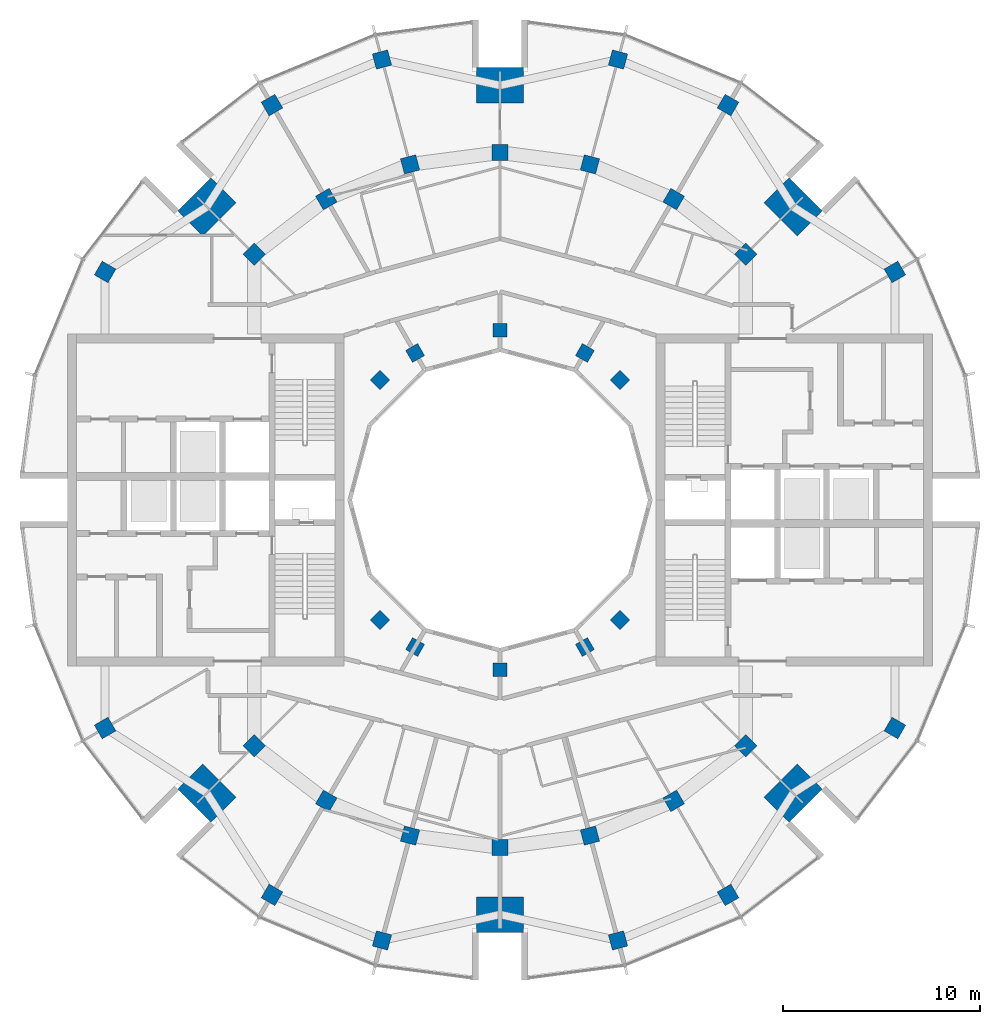
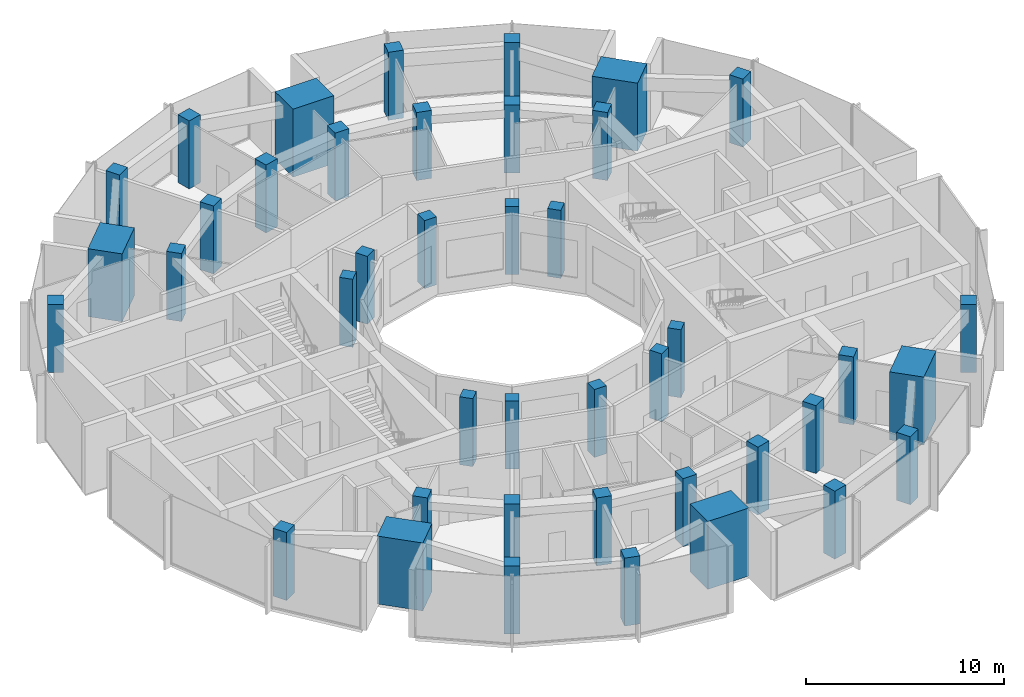
# One storey, part 1 of 15: 42 columns.
"""IFC4 building model written with IfcOpenShell, lengths in metres."""

import ifcopenshell
import ifcopenshell.guid

model = None  # the IFC model being written
_history = None  # IfcOwnerHistory: only IFC2X3 demands one
_inside = {}  # id of a spatial element -> (the spatial element, [elements in it])
_under = {}  # id of a project, library or spatial element -> (it, [spatial elements below it])
_declared = {}  # id of a project -> (the project, [libraries it declares])
_typed = {}  # id of a type object -> (the type object, [elements of that type])
_made_of = {}  # id of a material, layer set ... -> (it, [elements and type objects made of it])


def new_model(schema):
    """Start an empty IFC model of exactly this schema.

    Asked for "IFC4X3", IfcOpenShell would pick the latest addendum, in which some entities
    have other attributes; the version numbers below select the first issue.
    IFC2X3 requires an IfcOwnerHistory on every rooted entity: one is made here for all.
    """
    global model, _history
    if schema == "IFC4X3":
        model = ifcopenshell.file(schema_version=(4, 3, 0, 0))
    else:
        model = ifcopenshell.file(schema=schema)
    _inside.clear()
    _under.clear()
    _declared.clear()
    _typed.clear()
    _made_of.clear()
    _history = None
    if model.schema == "IFC2X3":
        org = make("IfcOrganization", Name="unknown")
        user = make(
            "IfcPersonAndOrganization",
            ThePerson=make("IfcPerson", FamilyName="unknown"),
            TheOrganization=org,
        )
        app = make(
            "IfcApplication",
            ApplicationDeveloper=org,
            Version="unknown",
            ApplicationFullName="unknown",
            ApplicationIdentifier="unknown",
        )
        _history = make(
            "IfcOwnerHistory",
            OwningUser=user,
            OwningApplication=app,
            ChangeAction="ADDED",
            CreationDate=0,
        )
    return model


def make(cls, **values):
    """One entity of the class cls with the attributes given. An attribute that is None is left unset."""
    return model.create_entity(
        cls, **{name: value for name, value in values.items() if value is not None}
    )


def rooted(cls, **values):
    """An entity with a GlobalId (a new one), such as an element, a storey or a relation."""
    return make(cls, GlobalId=ifcopenshell.guid.new(), OwnerHistory=_history, **values)


def si_unit(unit_type, name, prefix=None):
    """IfcSIUnit, for example si_unit("LENGTHUNIT", "METRE", prefix="MILLI")."""
    return make("IfcSIUnit", UnitType=unit_type, Prefix=prefix, Name=name)


def assignment(units):
    """IfcUnitAssignment: the units of a project."""
    return None if units is None else make("IfcUnitAssignment", Units=units)


def point(xyz):
    """IfcCartesianPoint."""
    return None if xyz is None else make("IfcCartesianPoint", Coordinates=xyz)


def direction(xyz):
    """IfcDirection."""
    return None if xyz is None else make("IfcDirection", DirectionRatios=xyz)


def frame(location, z_axis=None, x_axis=None):
    """IfcAxis2Placement3D, a coordinate frame: its origin and axes. An axis left out is left unset."""
    return make(
        "IfcAxis2Placement3D",
        Location=point(location),
        Axis=direction(z_axis),
        RefDirection=direction(x_axis),
    )


def frame_2d(location, x_axis=None):
    """IfcAxis2Placement2D, a coordinate frame in the plane: its origin and x axis."""
    return make(
        "IfcAxis2Placement2D", Location=point(location), RefDirection=direction(x_axis)
    )


def origin():
    """The frame at (0, 0, 0) with its axes left unset."""
    return frame((0.0, 0.0, 0.0))


def origin_2d():
    """The frame at (0, 0) in the plane with its x axis left unset."""
    return frame_2d((0.0, 0.0))


def place(relative_to, where):
    """IfcLocalPlacement: puts the frame where relative to a parent placement (None: the world)."""
    return make(
        "IfcLocalPlacement", PlacementRelTo=relative_to, RelativePlacement=where
    )


def context(
    kind, dimensions, precision=None, world=None, true_north=None, identifier=None
):
    """IfcGeometricRepresentationContext, for example the 3D "Model" context."""
    return make(
        "IfcGeometricRepresentationContext",
        ContextIdentifier=identifier,
        ContextType=kind,
        CoordinateSpaceDimension=dimensions,
        Precision=precision,
        WorldCoordinateSystem=world,
        TrueNorth=true_north,
    )


def subcontext(parent, identifier, kind, view, scale=None):
    """IfcGeometricRepresentationSubContext, for example "Body" below "Model"."""
    return make(
        "IfcGeometricRepresentationSubContext",
        ContextIdentifier=identifier,
        ContextType=kind,
        ParentContext=parent,
        TargetScale=scale,
        TargetView=view,
    )


def project(units=None, contexts=None):
    """IfcProject with its units and contexts."""
    return rooted(
        "IfcProject",
        Name="project",
        RepresentationContexts=contexts,
        UnitsInContext=assignment(units),
    )


def spatial(cls, under=None, at=None, **own):
    """A site, building, storey or space (cls), placed at a placement, below another one or the project."""
    s = rooted(cls, ObjectPlacement=at, **own)
    if under is not None:
        _under.setdefault(under.id(), (under, []))[1].append(s)
    return s


def profile(cls, at=None, kind="AREA", **sizes):
    """A parametric profile (cls). Its sizes go by their IFC names, for example OverallWidth=200.0."""
    return make(cls, ProfileType=kind, Position=at, **sizes)


def rectangle(**sizes):
    """IfcRectangleProfileDef."""
    return profile("IfcRectangleProfileDef", **sizes)


def extrude(swept, where, along, depth):
    """IfcExtrudedAreaSolid: the profile swept, set in the frame where, extruded along a direction by depth."""
    return make(
        "IfcExtrudedAreaSolid",
        SweptArea=swept,
        Position=where,
        ExtrudedDirection=direction(along),
        Depth=depth,
    )


def shape(context_of_items, identifier, shape_type, items):
    """IfcShapeRepresentation: the items that make up one representation, for example the "Body"."""
    return make(
        "IfcShapeRepresentation",
        ContextOfItems=context_of_items,
        RepresentationIdentifier=identifier,
        RepresentationType=shape_type,
        Items=items,
    )


def material(Name=None, Category=None):
    """IfcMaterial."""
    return make("IfcMaterial", Name=Name, Category=Category)


def material_profile(
    of_material, cross_section, Name=None, Category=None, Priority=None
):
    """IfcMaterialProfile: a cross section and its material."""
    return make(
        "IfcMaterialProfile",
        Name=Name,
        Material=of_material,
        Profile=cross_section,
        Priority=Priority,
        Category=Category,
    )


def profile_set(profiles, Name=None, composite=None):
    """IfcMaterialProfileSet."""
    return make(
        "IfcMaterialProfileSet",
        Name=Name,
        MaterialProfiles=profiles,
        CompositeProfile=composite,
    )


def made_of(thing, what):
    """Note that an element or type object is made of a material, layer set ...; save() writes the relation."""
    if what is not None:
        _made_of.setdefault(what.id(), (what, []))[1].append(thing)
    return thing


def type_object(cls, material=None, **own):
    """A type object (cls), such as IfcWallType, which elements share."""
    return made_of(rooted(cls, **own), material)


def element(
    cls,
    number,
    at=None,
    inside=None,
    cuts=None,
    type_object=None,
    material=None,
    context=None,
    identifier="Body",
    shape_type=None,
    held_by="IfcProductDefinitionShape",
    body=None,
    shapes=None,
    **own,
):
    """One element of the class cls, such as IfcWall. Its Tag is "e" and its number.

    at: its placement. inside: the storey or other place that contains it. cuts: it is an
    opening in that element (IfcRelVoidsElement). A single representation is given by context,
    identifier, shape_type and body (its items); several are given by shapes. held_by: the class
    of the entity that holds the representations. save() writes the other relations.
    """
    e = rooted(cls, Tag="e%d" % number, ObjectPlacement=at, **own)
    if body is not None:
        shapes = [shape(context, identifier, shape_type, body)]
    if shapes is not None:
        e.Representation = make(held_by, Representations=shapes)
    if inside is not None:
        _inside.setdefault(inside.id(), (inside, []))[1].append(e)
    if cuts is not None:
        rooted(
            "IfcRelVoidsElement", RelatingBuildingElement=cuts, RelatedOpeningElement=e
        )
    if type_object is not None:
        _typed.setdefault(type_object.id(), (type_object, []))[1].append(e)
    return made_of(e, material)


def aggregate(whole, parts):
    """IfcRelAggregates: a whole, such as a stair, and the parts it consists of."""
    return rooted("IfcRelAggregates", RelatingObject=whole, RelatedObjects=parts)


def save(model, path):
    """Write the relations noted so far, then the file.

    IfcRelAggregates (storeys below a building ...), IfcRelContainedInSpatialStructure (elements
    in a storey), IfcRelDefinesByType, IfcRelAssociatesMaterial and IfcRelDeclares: one each for
    every whole, place, type object, material and project.
    """
    for whole, parts in _under.values():
        aggregate(whole, parts)
    for where, things in _inside.values():
        rooted(
            "IfcRelContainedInSpatialStructure",
            RelatedElements=things,
            RelatingStructure=where,
        )
    for kind, things in _typed.values():
        rooted("IfcRelDefinesByType", RelatedObjects=things, RelatingType=kind)
    for what, things in _made_of.values():
        rooted("IfcRelAssociatesMaterial", RelatedObjects=things, RelatingMaterial=what)
    for by, libraries in _declared.values():
        rooted("IfcRelDeclares", RelatingContext=by, RelatedDefinitions=libraries)
    model.write(path)


model = new_model("IFC4")

# Units and contexts
model_context = context("Model", 3, precision=1e-05, world=origin(), true_north=direction((0.0, 1.0)))
body_context = subcontext(model_context, "Body", "Model", "MODEL_VIEW")
ifc_project = project(units=[si_unit("LENGTHUNIT", "METRE"), si_unit("AREAUNIT", "SQUARE_METRE"), si_unit("VOLUMEUNIT", "CUBIC_METRE"), si_unit("PLANEANGLEUNIT", "RADIAN"), si_unit("MASSUNIT", "GRAM", prefix="KILO")], contexts=[model_context])

# Site, building, storey
site_placement = place(None, origin())
site = spatial("IfcSite", under=ifc_project, at=site_placement, CompositionType="ELEMENT")
building_placement = place(site_placement, origin())
building = spatial("IfcBuilding", under=site, at=building_placement, Name="Torre Brocal", CompositionType="ELEMENT")
storey_placement = place(building_placement, frame((0.0, 0.0, 279.89990234375)))
storey = spatial("IfcBuildingStorey", under=building, at=storey_placement, Name="L64", CompositionType="ELEMENT", Elevation=279.89990234375)

# Columns
ifc_material_1 = material(Name="Concrete C50", Category="concrete")
ifc_material_profile_1 = material_profile(ifc_material_1, rectangle(XDim=1.800048828125, YDim=2.39990234375, at=origin_2d()), Name="RC 1800X2400")
ifc_profile_set_1 = profile_set([ifc_material_profile_1], Name="Concrete C50")
column_type_1 = type_object("IfcColumnType", Name="RC COLUMN 1800X2400 C50", PredefinedType="COLUMN", material=ifc_profile_set_1)
for number, where, z_axis, x_axis, name in (
    (1, (94.84912109375, 89.84912109375, 0.0), (0.0, 0.0, 1.0), (0.707106781187, 0.707106781187, 0.0), "Column MCA-1"),
    (2, (80.0, 96.0, 0.0), (0.0, 0.0, 1.0), (0.0, 1.0, 0.0), "Column MCA-2"),
    (3, (65.15087890625, 89.84912109375, 0.0), (0.0, 0.0, 1.0), (-0.707106781187, 0.707106781187, 0.0), "Column MCA-3"),
    (4, (65.15087890625, 60.15087890625, 0.0), (0.0, 0.0, 1.0), (-0.707106781187, -0.707106781187, 0.0), "Column MCA-5"),
    (5, (80.0, 54.0, 0.0), (0.0, 0.0, 1.0), (0.0, -1.0, 0.0), "Column MCA-6"),
    (6, (94.84912109375, 60.15087890625, 0.0), (0.0, 0.0, 1.0), (0.707106781187, -0.707106781187, 0.0), "Column MCA-7"),
):
    element("IfcColumn", number, at=place(storey_placement, frame(where, z_axis=z_axis, x_axis=x_axis)), inside=storey, type_object=column_type_1, Name=name, PredefinedType="COLUMN", context=body_context, shape_type="SweptSolid", body=[
        extrude(rectangle(XDim=1.800048828125, YDim=2.39990234375, at=origin_2d()), origin(), (0.0, 0.0, 1.0), 4.2001953125),
    ])
ifc_material_2 = material(Name="Concrete C50", Category="concrete")
ifc_material_profile_2 = material_profile(ifc_material_2, rectangle(XDim=0.699951171875, YDim=0.699951171875, at=origin_2d()), Name="RC 700X700")
ifc_profile_set_2 = profile_set([ifc_material_profile_2], Name="Concrete C50")
column_type_2 = type_object("IfcColumnType", Name="RC COLUMN 700X700 C50", PredefinedType="COLUMN", material=ifc_profile_set_2)
for number, where, z_axis, x_axis, name in (
    (7, (86.0810546875, 81.0810546875, 0.0), (0.0, 0.0, 1.0), (0.707106781187, 0.707106781187, 0.0), "Column C-I03"),
    (8, (84.300048828125, 82.44775390625, 0.0), (0.0, 0.0, 1.0), (0.5, 0.866025403784, 0.0), "Column C-I04"),
    (9, (80.0, 83.60009765625, 0.0), (0.0, 0.0, 1.0), (0.0, 1.0, 0.0), "Column C-I06"),
    (10, (75.699951171875, 82.44775390625, 0.0), (0.0, 0.0, 1.0), (-0.5, 0.866025403784, 0.0), "Column C-I08"),
    (11, (73.9189453125, 81.0810546875, 0.0), (0.0, 0.0, 1.0), (-0.707106781187, 0.707106781187, 0.0), "Column C-I09"),
    (12, (73.9189453125, 68.9189453125, 0.0), (0.0, 0.0, 1.0), (-0.707106781187, -0.707106781187, 0.0), "Column C-I15"),
    (13, (75.699951171875, 67.55224609375, 0.0), (0.0, 0.0, 1.0), (-0.5, -0.866025403784, 0.0), "Column C-I16"),
    (14, (80.0, 66.39990234375, 0.0), (0.0, 0.0, 1.0), (0.0, -1.0, 0.0), "Column C-I18"),
    (15, (84.300048828125, 67.55224609375, 0.0), (0.0, 0.0, 1.0), (0.5, -0.866025403784, 0.0), "Column C-I20"),
    (16, (86.0810546875, 68.9189453125, 0.0), (0.0, 0.0, 1.0), (0.707106781187, -0.707106781187, 0.0), "Column C-I21"),
):
    element("IfcColumn", number, at=place(storey_placement, frame(where, z_axis=z_axis, x_axis=x_axis)), inside=storey, type_object=column_type_2, Name=name, PredefinedType="COLUMN", context=body_context, shape_type="SweptSolid", body=[
        extrude(rectangle(XDim=0.699951171875, YDim=0.699951171875, at=origin_2d()), origin(), (0.0, 0.0, 1.0), 4.2001953125),
    ])
ifc_material_3 = material(Name="Concrete C50", Category="concrete")
ifc_material_profile_3 = material_profile(ifc_material_3, rectangle(XDim=0.800048828125, YDim=0.800048828125, at=origin_2d()), Name="RC 800X800")
ifc_profile_set_3 = profile_set([ifc_material_profile_3], Name="Concrete C50")
column_type_3 = type_object("IfcColumnType", Name="RC COLUMN 800X800 C50", PredefinedType="COLUMN", material=ifc_profile_set_3)
for number, where, z_axis, x_axis, name in (
    (17, (100.005126953125, 86.550048828125, 0.0), (0.0, 0.0, 1.0), (0.866025403784, 0.5, 0.0), "Column C-OA02"),
    (18, (91.550048828125, 95.005126953125, 0.0), (0.0, 0.0, 1.0), (0.5, 0.866025403784, 0.0), "Column C-OA04"),
    (19, (85.978759765625, 97.31298828125, 0.0), (0.0, 0.0, 1.0), (0.258819045103, 0.965925826289, 0.0), "Column C-OA05"),
    (20, (74.021240234375, 97.31298828125, 0.0), (0.0, 0.0, 1.0), (-0.258819045103, 0.965925826289, 0.0), "Column C-OA07"),
    (21, (68.449951171875, 95.005126953125, 0.0), (0.0, 0.0, 1.0), (-0.5, 0.866025403784, 0.0), "Column C-OA08"),
    (22, (59.994873046875, 86.550048828125, 0.0), (0.0, 0.0, 1.0), (-0.866025403784, 0.5, 0.0), "Column C-OA10"),
    (23, (59.994873046875, 63.449951171875, 0.0), (0.0, 0.0, 1.0), (-0.866025403784, -0.5, 0.0), "Column C-OA14"),
    (24, (68.449951171875, 54.994873046875, 0.0), (0.0, 0.0, 1.0), (-0.5, -0.866025403784, 0.0), "Column C-OA16"),
    (25, (74.021240234375, 52.68701171875, 0.0), (0.0, 0.0, 1.0), (-0.258819045103, -0.965925826289, 0.0), "Column C-OA17"),
    (26, (85.978759765625, 52.68701171875, 0.0), (0.0, 0.0, 1.0), (0.258819045103, -0.965925826289, 0.0), "Column C-OA19"),
    (27, (91.550048828125, 54.994873046875, 0.0), (0.0, 0.0, 1.0), (0.5, -0.866025403784, 0.0), "Column C-OA20"),
    (28, (100.005126953125, 63.449951171875, 0.0), (0.0, 0.0, 1.0), (0.866025403784, -0.5, 0.0), "Column C-OA22"),
    (29, (92.445068359375, 87.445068359375, 0.0), (0.0, 0.0, 1.0), (0.707106781187, 0.707106781187, 0.0), "Column C-M03"),
    (30, (88.800048828125, 90.241943359375, 0.0), (0.0, 0.0, 1.0), (0.5, 0.866025403784, 0.0), "Column C-M04"),
    (31, (84.55517578125, 92.000244140625, 0.0), (0.0, 0.0, 1.0), (0.258819045103, 0.965925826289, 0.0), "Column C-M05"),
    (32, (80.0, 92.60009765625, 0.0), (0.0, 0.0, 1.0), (0.0, 1.0, 0.0), "Column C-M06"),
    (33, (75.44482421875, 92.000244140625, 0.0), (0.0, 0.0, 1.0), (-0.258819045103, 0.965925826289, 0.0), "Column C-M07"),
    (34, (71.199951171875, 90.241943359375, 0.0), (0.0, 0.0, 1.0), (-0.5, 0.866025403784, 0.0), "Column C-M08"),
    (35, (67.554931640625, 87.445068359375, 0.0), (0.0, 0.0, 1.0), (-0.707106781187, 0.707106781187, 0.0), "Column C-M09"),
    (36, (67.554931640625, 62.554931640625, 0.0), (0.0, 0.0, 1.0), (-0.707106781187, -0.707106781187, 0.0), "Column C-M15"),
    (37, (71.199951171875, 59.758056640625, 0.0), (0.0, 0.0, 1.0), (-0.5, -0.866025403784, 0.0), "Column C-M16"),
    (38, (75.44482421875, 57.999755859375, 0.0), (0.0, 0.0, 1.0), (-0.258819045103, -0.965925826289, 0.0), "Column C-M17"),
    (39, (80.0, 57.39990234375, 0.0), (0.0, 0.0, 1.0), (0.0, -1.0, 0.0), "Column C-M18"),
    (40, (84.55517578125, 57.999755859375, 0.0), (0.0, 0.0, 1.0), (0.258819045103, -0.965925826289, 0.0), "Column C-M19"),
    (41, (88.800048828125, 59.758056640625, 0.0), (0.0, 0.0, 1.0), (0.5, -0.866025403784, 0.0), "Column C-M20"),
    (42, (92.445068359375, 62.554931640625, 0.0), (0.0, 0.0, 1.0), (0.707106781187, -0.707106781187, 0.0), "Column C-M21"),
):
    element("IfcColumn", number, at=place(storey_placement, frame(where, z_axis=z_axis, x_axis=x_axis)), inside=storey, type_object=column_type_3, Name=name, PredefinedType="COLUMN", context=body_context, shape_type="SweptSolid", body=[
        extrude(rectangle(XDim=0.800048828125, YDim=0.800048828125, at=origin_2d()), origin(), (0.0, 0.0, 1.0), 4.2001953125),
    ])

save(model, "model.ifc")
